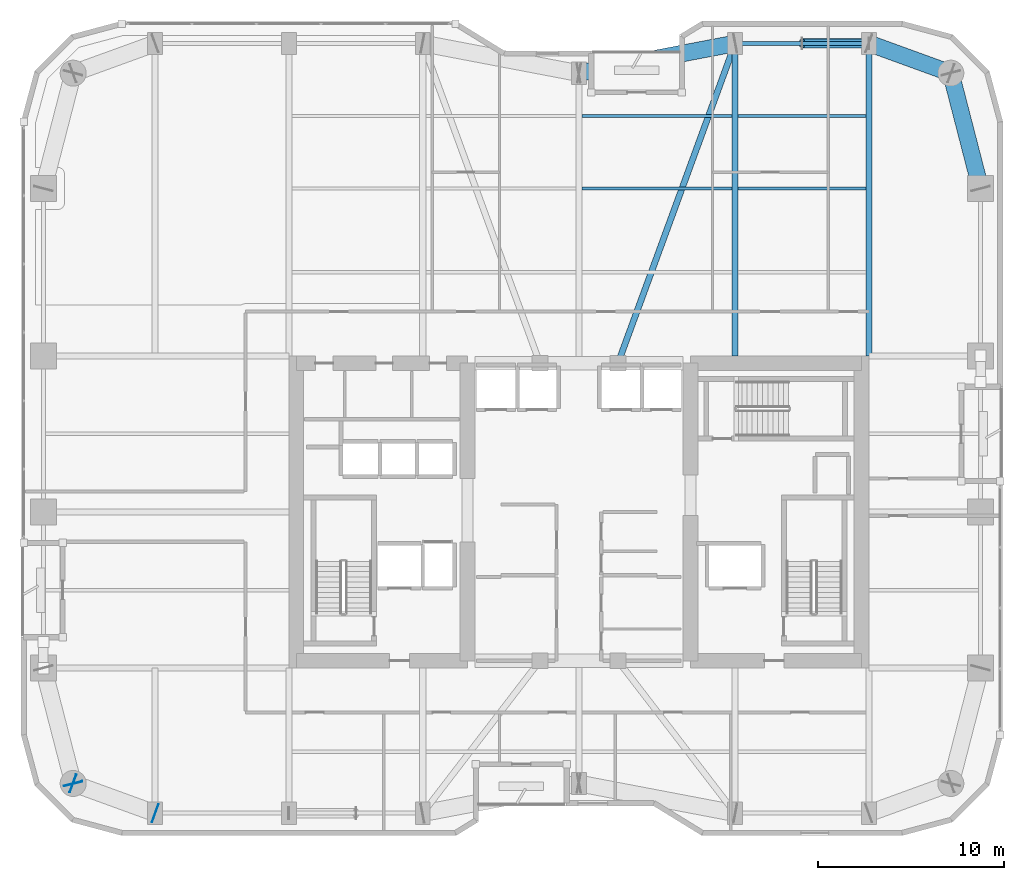
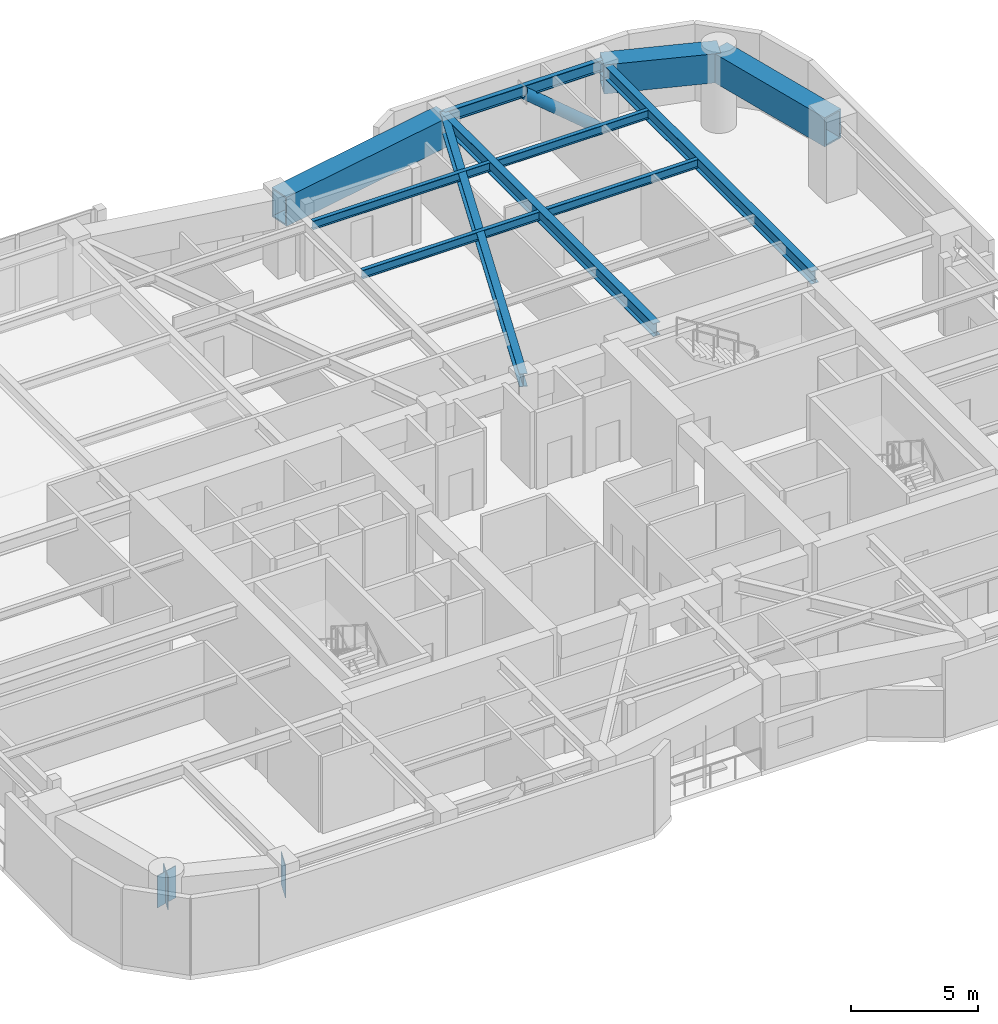
# One storey, part 20 of 30: 11 beams, 3 plates, 1 member.
"""IFC4 building model written with IfcOpenShell, lengths in metres."""

import ifcopenshell
import ifcopenshell.guid

model = None  # the IFC model being written
_history = None  # IfcOwnerHistory: only IFC2X3 demands one
_inside = {}  # id of a spatial element -> (the spatial element, [elements in it])
_under = {}  # id of a project, library or spatial element -> (it, [spatial elements below it])
_declared = {}  # id of a project -> (the project, [libraries it declares])
_typed = {}  # id of a type object -> (the type object, [elements of that type])
_made_of = {}  # id of a material, layer set ... -> (it, [elements and type objects made of it])


def new_model(schema):
    """Start an empty IFC model of exactly this schema.

    Asked for "IFC4X3", IfcOpenShell would pick the latest addendum, in which some entities
    have other attributes; the version numbers below select the first issue.
    IFC2X3 requires an IfcOwnerHistory on every rooted entity: one is made here for all.
    """
    global model, _history
    if schema == "IFC4X3":
        model = ifcopenshell.file(schema_version=(4, 3, 0, 0))
    else:
        model = ifcopenshell.file(schema=schema)
    _inside.clear()
    _under.clear()
    _declared.clear()
    _typed.clear()
    _made_of.clear()
    _history = None
    if model.schema == "IFC2X3":
        org = make("IfcOrganization", Name="unknown")
        user = make(
            "IfcPersonAndOrganization",
            ThePerson=make("IfcPerson", FamilyName="unknown"),
            TheOrganization=org,
        )
        app = make(
            "IfcApplication",
            ApplicationDeveloper=org,
            Version="unknown",
            ApplicationFullName="unknown",
            ApplicationIdentifier="unknown",
        )
        _history = make(
            "IfcOwnerHistory",
            OwningUser=user,
            OwningApplication=app,
            ChangeAction="ADDED",
            CreationDate=0,
        )
    return model


def make(cls, **values):
    """One entity of the class cls with the attributes given. An attribute that is None is left unset."""
    return model.create_entity(
        cls, **{name: value for name, value in values.items() if value is not None}
    )


def rooted(cls, **values):
    """An entity with a GlobalId (a new one), such as an element, a storey or a relation."""
    return make(cls, GlobalId=ifcopenshell.guid.new(), OwnerHistory=_history, **values)


def si_unit(unit_type, name, prefix=None):
    """IfcSIUnit, for example si_unit("LENGTHUNIT", "METRE", prefix="MILLI")."""
    return make("IfcSIUnit", UnitType=unit_type, Prefix=prefix, Name=name)


def assignment(units):
    """IfcUnitAssignment: the units of a project."""
    return None if units is None else make("IfcUnitAssignment", Units=units)


def point(xyz):
    """IfcCartesianPoint."""
    return None if xyz is None else make("IfcCartesianPoint", Coordinates=xyz)


def direction(xyz):
    """IfcDirection."""
    return None if xyz is None else make("IfcDirection", DirectionRatios=xyz)


def frame(location, z_axis=None, x_axis=None):
    """IfcAxis2Placement3D, a coordinate frame: its origin and axes. An axis left out is left unset."""
    return make(
        "IfcAxis2Placement3D",
        Location=point(location),
        Axis=direction(z_axis),
        RefDirection=direction(x_axis),
    )


def frame_2d(location, x_axis=None):
    """IfcAxis2Placement2D, a coordinate frame in the plane: its origin and x axis."""
    return make(
        "IfcAxis2Placement2D", Location=point(location), RefDirection=direction(x_axis)
    )


def origin():
    """The frame at (0, 0, 0) with its axes left unset."""
    return frame((0.0, 0.0, 0.0))


def origin_2d():
    """The frame at (0, 0) in the plane with its x axis left unset."""
    return frame_2d((0.0, 0.0))


def place(relative_to, where):
    """IfcLocalPlacement: puts the frame where relative to a parent placement (None: the world)."""
    return make(
        "IfcLocalPlacement", PlacementRelTo=relative_to, RelativePlacement=where
    )


def context(
    kind, dimensions, precision=None, world=None, true_north=None, identifier=None
):
    """IfcGeometricRepresentationContext, for example the 3D "Model" context."""
    return make(
        "IfcGeometricRepresentationContext",
        ContextIdentifier=identifier,
        ContextType=kind,
        CoordinateSpaceDimension=dimensions,
        Precision=precision,
        WorldCoordinateSystem=world,
        TrueNorth=true_north,
    )


def subcontext(parent, identifier, kind, view, scale=None):
    """IfcGeometricRepresentationSubContext, for example "Body" below "Model"."""
    return make(
        "IfcGeometricRepresentationSubContext",
        ContextIdentifier=identifier,
        ContextType=kind,
        ParentContext=parent,
        TargetScale=scale,
        TargetView=view,
    )


def project(units=None, contexts=None):
    """IfcProject with its units and contexts."""
    return rooted(
        "IfcProject",
        Name="project",
        RepresentationContexts=contexts,
        UnitsInContext=assignment(units),
    )


def spatial(cls, under=None, at=None, **own):
    """A site, building, storey or space (cls), placed at a placement, below another one or the project."""
    s = rooted(cls, ObjectPlacement=at, **own)
    if under is not None:
        _under.setdefault(under.id(), (under, []))[1].append(s)
    return s


def profile(cls, at=None, kind="AREA", **sizes):
    """A parametric profile (cls). Its sizes go by their IFC names, for example OverallWidth=200.0."""
    return make(cls, ProfileType=kind, Position=at, **sizes)


def rectangle(**sizes):
    """IfcRectangleProfileDef."""
    return profile("IfcRectangleProfileDef", **sizes)


def hollow_rectangle(**sizes):
    """IfcRectangleHollowProfileDef."""
    return profile("IfcRectangleHollowProfileDef", **sizes)


def hollow_circle(**sizes):
    """IfcCircleHollowProfileDef."""
    return profile("IfcCircleHollowProfileDef", **sizes)


def i_section(**sizes):
    """IfcIShapeProfileDef."""
    return profile("IfcIShapeProfileDef", **sizes)


def extrude(swept, where, along, depth):
    """IfcExtrudedAreaSolid: the profile swept, set in the frame where, extruded along a direction by depth."""
    return make(
        "IfcExtrudedAreaSolid",
        SweptArea=swept,
        Position=where,
        ExtrudedDirection=direction(along),
        Depth=depth,
    )


def shape(context_of_items, identifier, shape_type, items):
    """IfcShapeRepresentation: the items that make up one representation, for example the "Body"."""
    return make(
        "IfcShapeRepresentation",
        ContextOfItems=context_of_items,
        RepresentationIdentifier=identifier,
        RepresentationType=shape_type,
        Items=items,
    )


def material(Name=None, Category=None):
    """IfcMaterial."""
    return make("IfcMaterial", Name=Name, Category=Category)


def layer(
    of_material, thickness, ventilated=None, Name=None, Category=None, Priority=None
):
    """IfcMaterialLayer: one layer of a wall or slab, of a material (None: an air gap)."""
    return make(
        "IfcMaterialLayer",
        Material=of_material,
        LayerThickness=thickness,
        IsVentilated=ventilated,
        Name=Name,
        Category=Category,
        Priority=Priority,
    )


def layer_set(layers, Name=None):
    """IfcMaterialLayerSet."""
    return make("IfcMaterialLayerSet", MaterialLayers=layers, LayerSetName=Name)


def material_profile(
    of_material, cross_section, Name=None, Category=None, Priority=None
):
    """IfcMaterialProfile: a cross section and its material."""
    return make(
        "IfcMaterialProfile",
        Name=Name,
        Material=of_material,
        Profile=cross_section,
        Priority=Priority,
        Category=Category,
    )


def profile_set(profiles, Name=None, composite=None):
    """IfcMaterialProfileSet."""
    return make(
        "IfcMaterialProfileSet",
        Name=Name,
        MaterialProfiles=profiles,
        CompositeProfile=composite,
    )


def made_of(thing, what):
    """Note that an element or type object is made of a material, layer set ...; save() writes the relation."""
    if what is not None:
        _made_of.setdefault(what.id(), (what, []))[1].append(thing)
    return thing


def type_object(cls, material=None, **own):
    """A type object (cls), such as IfcWallType, which elements share."""
    return made_of(rooted(cls, **own), material)


def element(
    cls,
    number,
    at=None,
    inside=None,
    cuts=None,
    type_object=None,
    material=None,
    context=None,
    identifier="Body",
    shape_type=None,
    held_by="IfcProductDefinitionShape",
    body=None,
    shapes=None,
    **own,
):
    """One element of the class cls, such as IfcWall. Its Tag is "e" and its number.

    at: its placement. inside: the storey or other place that contains it. cuts: it is an
    opening in that element (IfcRelVoidsElement). A single representation is given by context,
    identifier, shape_type and body (its items); several are given by shapes. held_by: the class
    of the entity that holds the representations. save() writes the other relations.
    """
    e = rooted(cls, Tag="e%d" % number, ObjectPlacement=at, **own)
    if body is not None:
        shapes = [shape(context, identifier, shape_type, body)]
    if shapes is not None:
        e.Representation = make(held_by, Representations=shapes)
    if inside is not None:
        _inside.setdefault(inside.id(), (inside, []))[1].append(e)
    if cuts is not None:
        rooted(
            "IfcRelVoidsElement", RelatingBuildingElement=cuts, RelatedOpeningElement=e
        )
    if type_object is not None:
        _typed.setdefault(type_object.id(), (type_object, []))[1].append(e)
    return made_of(e, material)


def aggregate(whole, parts):
    """IfcRelAggregates: a whole, such as a stair, and the parts it consists of."""
    return rooted("IfcRelAggregates", RelatingObject=whole, RelatedObjects=parts)


def save(model, path):
    """Write the relations noted so far, then the file.

    IfcRelAggregates (storeys below a building ...), IfcRelContainedInSpatialStructure (elements
    in a storey), IfcRelDefinesByType, IfcRelAssociatesMaterial and IfcRelDeclares: one each for
    every whole, place, type object, material and project.
    """
    for whole, parts in _under.values():
        aggregate(whole, parts)
    for where, things in _inside.values():
        rooted(
            "IfcRelContainedInSpatialStructure",
            RelatedElements=things,
            RelatingStructure=where,
        )
    for kind, things in _typed.values():
        rooted("IfcRelDefinesByType", RelatedObjects=things, RelatingType=kind)
    for what, things in _made_of.values():
        rooted("IfcRelAssociatesMaterial", RelatedObjects=things, RelatingMaterial=what)
    for by, libraries in _declared.values():
        rooted("IfcRelDeclares", RelatingContext=by, RelatedDefinitions=libraries)
    model.write(path)


model = new_model("IFC4")

# Units and contexts
model_context = context("Model", 3, precision=1e-05, world=origin(), true_north=direction((0.0, 1.0)))
body_context = subcontext(model_context, "Body", "Model", "MODEL_VIEW")
ifc_project = project(units=[si_unit("LENGTHUNIT", "METRE"), si_unit("AREAUNIT", "SQUARE_METRE"), si_unit("VOLUMEUNIT", "CUBIC_METRE"), si_unit("PLANEANGLEUNIT", "RADIAN"), si_unit("MASSUNIT", "GRAM", prefix="KILO")], contexts=[model_context])

# Site, building, storey
site_placement = place(None, origin())
site = spatial("IfcSite", under=ifc_project, at=site_placement, CompositionType="ELEMENT")
building_placement = place(site_placement, origin())
building = spatial("IfcBuilding", under=site, at=building_placement, Name="Kiyonajd Concourse Tower", CompositionType="ELEMENT")
storey_placement = place(building_placement, frame((0.0, 0.0, 154.5)))
storey = spatial("IfcBuildingStorey", under=building, at=storey_placement, Name="L39", CompositionType="ELEMENT", Elevation=154.5)

# Beams
ifc_material_1 = material(Name="Steel ASTM A992 Grade 50", Category="steel")
ifc_material_profile_1 = material_profile(ifc_material_1, i_section(OverallWidth=0.180908203125, OverallDepth=0.4169921875, WebThickness=0.010986328125, FlangeThickness=0.018310546875, at=origin_2d()), Name="W410X85")
ifc_profile_set_1 = profile_set([ifc_material_profile_1], Name="Steel ASTM A992 Grade 50")
beam_type_1 = type_object("IfcBeamType", Name="BM-JST-410", PredefinedType="JOIST", material=ifc_profile_set_1)
beam_1_placement = place(storey_placement, frame((48.16357421875, 53.39990234375, 3.471435546875), z_axis=(1.0, 0.0, 0.0), x_axis=(0.0, 1.0, 0.0)))
element("IfcBeam", 1, at=beam_1_placement, inside=storey, type_object=beam_type_1, Name="L39 Secondary Floor Joist", PredefinedType="JOIST", context=body_context, shape_type="SweptSolid", body=[
    extrude(i_section(OverallWidth=0.180908203125, OverallDepth=0.4169921875, WebThickness=0.010986328125, FlangeThickness=0.018310546875, at=origin_2d()), origin(), (0.0, 0.0, 1.0), 8.072998046875),
])
beam_2_placement = place(storey_placement, frame((56.5634765625, 53.39990234375, 3.471435546875), z_axis=(1.0, 0.0, 0.0), x_axis=(0.0, 1.0, 0.0)))
element("IfcBeam", 2, at=beam_2_placement, inside=storey, type_object=beam_type_1, Name="L39 Secondary Floor Joist", PredefinedType="JOIST", context=body_context, shape_type="SweptSolid", body=[
    extrude(i_section(OverallWidth=0.180908203125, OverallDepth=0.4169921875, WebThickness=0.010986328125, FlangeThickness=0.018310546875, at=origin_2d()), origin(), (0.0, 0.0, 1.0), 6.873046875),
])
beam_3_placement = place(storey_placement, frame((48.16357421875, 57.300048828125, 3.471435546875), z_axis=(1.0, 0.0, 0.0), x_axis=(0.0, 1.0, 0.0)))
element("IfcBeam", 3, at=beam_3_placement, inside=storey, type_object=beam_type_1, Name="L39 Secondary Floor Joist", PredefinedType="JOIST", context=body_context, shape_type="SweptSolid", body=[
    extrude(i_section(OverallWidth=0.180908203125, OverallDepth=0.4169921875, WebThickness=0.010986328125, FlangeThickness=0.018310546875, at=origin_2d()), origin(), (0.0, 0.0, 1.0), 8.072998046875),
])
beam_4_placement = place(storey_placement, frame((56.5634765625, 57.300048828125, 3.471435546875), z_axis=(1.0, 0.0, 0.0), x_axis=(0.0, 1.0, 0.0)))
element("IfcBeam", 4, at=beam_4_placement, inside=storey, type_object=beam_type_1, Name="L39 Secondary Floor Joist", PredefinedType="JOIST", context=body_context, shape_type="SweptSolid", body=[
    extrude(i_section(OverallWidth=0.180908203125, OverallDepth=0.4169921875, WebThickness=0.010986328125, FlangeThickness=0.018310546875, at=origin_2d()), origin(), (0.0, 0.0, 1.0), 6.873046875),
])
ifc_material_profile_2 = material_profile(ifc_material_1, i_section(OverallWidth=0.214111328125, OverallDepth=0.549072265625, WebThickness=0.0146484375, FlangeThickness=0.023681640625, at=origin_2d()), Name="W530X138")
ifc_profile_set_2 = profile_set([ifc_material_profile_2], Name="Steel ASTM A992 Grade 50")
beam_type_2 = type_object("IfcBeamType", Name="BM-SPAN-530A", PredefinedType="SPANDREL", material=ifc_profile_set_2)
beam_5_placement = place(storey_placement, frame((63.60009765625, 61.199951171875, 3.405517578125), z_axis=(-1.0, 0.0, 0.0), x_axis=(0.0, -1.0, 0.0)))
element("IfcBeam", 5, at=beam_5_placement, inside=storey, type_object=beam_type_2, Name="L39 Perimeter Bundled Tube Spandrel", PredefinedType="SPANDREL", context=body_context, shape_type="SweptSolid", body=[
    extrude(i_section(OverallWidth=0.214111328125, OverallDepth=0.549072265625, WebThickness=0.0146484375, FlangeThickness=0.023681640625, at=origin_2d()), origin(), (0.0, 0.0, 1.0), 7.2001953125),
])
ifc_material_profile_3 = material_profile(ifc_material_1, i_section(OverallWidth=0.326904296875, OverallDepth=0.6220703125, WebThickness=0.015380859375, FlangeThickness=0.0244140625, at=origin_2d()), Name="W610X195")
ifc_profile_set_3 = profile_set([ifc_material_profile_3], Name="Steel ASTM A992 Grade 50")
beam_type_3 = type_object("IfcBeamType", Name="BM-TWR-610A", PredefinedType="BEAM", material=ifc_profile_set_3)
beam_6_placement = place(storey_placement, frame((50.10009765625, 44.0, 3.368896484375), z_axis=(0.343925269715, 0.938997022813, 0.0), x_axis=(-0.938997022813, 0.343925269715, 0.0)))
element("IfcBeam", 6, at=beam_6_placement, inside=storey, type_object=beam_type_3, Name="L39 Core Tie Girder", PredefinedType="BEAM", context=body_context, shape_type="SweptSolid", body=[
    extrude(i_section(OverallWidth=0.326904296875, OverallDepth=0.6220703125, WebThickness=0.015380859375, FlangeThickness=0.0244140625, at=origin_2d()), origin(), (0.0, 0.0, 1.0), 18.3173828125),
])
for number, where, z_axis, x_axis, name in (
    (7, (56.39990234375, 44.39990234375, 3.368896484375), (0.0, 1.0, 0.0), (-1.0, 0.0, 0.0), "L39 North Lease Girder"),
    (8, (63.60009765625, 44.39990234375, 3.368896484375), (0.0, 1.0, 0.0), (-1.0, 0.0, 0.0), "L39 North Lease Girder"),
):
    element("IfcBeam", number, at=place(storey_placement, frame(where, z_axis=z_axis, x_axis=x_axis)), inside=storey, type_object=beam_type_3, Name=name, PredefinedType="BEAM", context=body_context, shape_type="SweptSolid", body=[
        extrude(i_section(OverallWidth=0.326904296875, OverallDepth=0.6220703125, WebThickness=0.015380859375, FlangeThickness=0.0244140625, at=origin_2d()), origin(), (0.0, 0.0, 1.0), 16.800048828125),
    ])
ifc_material_2 = material(Name="Steel ASTM A572 Grade 50", Category="steel")
ifc_material_profile_4 = material_profile(ifc_material_2, hollow_rectangle(XDim=0.89990234375, YDim=1.39990234375, WallThickness=0.070068359375, at=origin_2d()), Name="BOX-1400x900x70")
ifc_profile_set_4 = profile_set([ifc_material_profile_4], Name="Steel ASTM A572 Grade 50")
beam_type_4 = type_object("IfcBeamType", Name="BM-XFER-1400", PredefinedType="BEAM", material=ifc_profile_set_4)
beam_7_placement = place(storey_placement, frame((69.60009765625, 53.39990234375, 2.97998046875), z_axis=(-0.249884937687, 0.968275538221, 0.0), x_axis=(-0.968275538221, -0.249884937687, 0.0)))
element("IfcBeam", 9, at=beam_7_placement, inside=storey, type_object=beam_type_4, Name="L39 Perimeter Bundled Tube Spandrel", PredefinedType="BEAM", context=body_context, shape_type="SweptSolid", body=[
    extrude(hollow_rectangle(XDim=0.89990234375, YDim=1.39990234375, WallThickness=0.070068359375, at=origin_2d()), origin(), (0.0, 0.0, 1.0), 6.4033203125),
])
beam_8_placement = place(storey_placement, frame((68.0, 59.60009765625, 2.97998046875), z_axis=(-0.939801036019, 0.341722127901, 0.0), x_axis=(-0.341722127901, -0.939801036019, 0.0)))
element("IfcBeam", 10, at=beam_8_placement, inside=storey, type_object=beam_type_4, Name="L39 Perimeter Bundled Tube Spandrel", PredefinedType="BEAM", context=body_context, shape_type="SweptSolid", body=[
    extrude(hollow_rectangle(XDim=0.89990234375, YDim=1.39990234375, WallThickness=0.070068359375, at=origin_2d()), origin(), (0.0, 0.0, 1.0), 4.681640625),
])
beam_9_placement = place(storey_placement, frame((56.39990234375, 61.199951171875, 2.97998046875), z_axis=(-0.982341315253, -0.187097675953, 0.0), x_axis=(0.187097675953, -0.982341315253, 0.0)))
element("IfcBeam", 11, at=beam_9_placement, inside=storey, type_object=beam_type_4, Name="L39 Perimeter Bundled Tube Spandrel", PredefinedType="BEAM", context=body_context, shape_type="SweptSolid", body=[
    extrude(hollow_rectangle(XDim=0.89990234375, YDim=1.39990234375, WallThickness=0.070068359375, at=origin_2d()), origin(), (0.0, 0.0, 1.0), 8.55078125),
])

# Member
ifc_material_3 = material(Name="Steel ASTM A500 Grade C", Category="steel")
ifc_material_profile_5 = material_profile(ifc_material_3, hollow_circle(Radius=0.25390625, WallThickness=0.02197265625, at=origin_2d()), Name="CHS-508x22")
ifc_profile_set_5 = profile_set([ifc_material_profile_5], Name="Steel ASTM A500 Grade C")
member_type = type_object("IfcMemberType", Name="MB-PB-MID", PredefinedType="BRACE", material=ifc_profile_set_5)
member_placement = place(storey_placement, frame((63.60009765625, 61.199951171875, 0.300048828125), z_axis=(-0.765082043761, 0.0, 0.643932811957), x_axis=(0.0, -1.0, 0.0)))
element("IfcMember", 12, at=member_placement, inside=storey, type_object=member_type, Name="L39 Upper Zone Hollow Tube Brace PBN", PredefinedType="BRACE", context=body_context, shape_type="SweptSolid", body=[
    extrude(hollow_circle(Radius=0.25390625, WallThickness=0.02197265625, at=origin_2d()), origin(), (0.0, 0.0, 1.0), 4.70556640625),
])

# Plates
ifc_layer = layer(ifc_material_2, 0.031982421875)
ifc_layer_set = layer_set([ifc_layer], Name="Steel ASTM A572 Grade 50")
plate_type = type_object("IfcPlateType", Name="PL-CAP-540", PredefinedType="USERDEFINED", material=ifc_layer_set)
for number, where, z_axis, x_axis, name in (
    (13, (20.802734375, 21.389404296875, 2.2099609375), (0.0, 0.0, 1.0), (0.249873048837, -0.968278606324, 0.0), "L39 Welded Box Girder End Cap"),
    (14, (20.789794921875, 21.40380859375, 2.2099609375), (0.0, 0.0, 1.0), (-0.939811951086, 0.341692107891, 0.0), "L39 Welded Box Girder End Cap"),
    (15, (25.210205078125, 19.796142578125, 2.2099609375), (0.0, 0.0, 1.0), (0.939811951086, -0.341692107891, 0.0), "L39 Welded Box Girder End Cap"),
):
    element("IfcPlate", number, at=place(storey_placement, frame(where, z_axis=z_axis, x_axis=x_axis)), inside=storey, type_object=plate_type, Name=name, ObjectType="CAP PLATE", PredefinedType="USERDEFINED", context=body_context, shape_type="SweptSolid", body=[
        extrude(rectangle(XDim=0.035888671875, YDim=1.02001953125, at=origin_2d()), origin(), (0.0, 0.0, 1.0), 1.5400390625),
    ])

save(model, "model.ifc")
